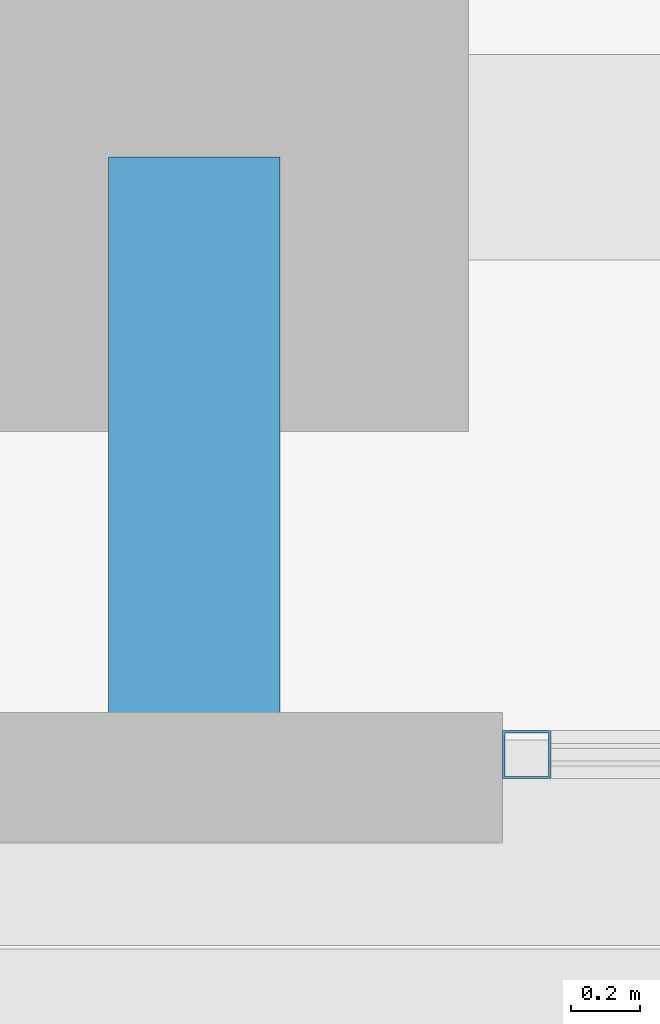
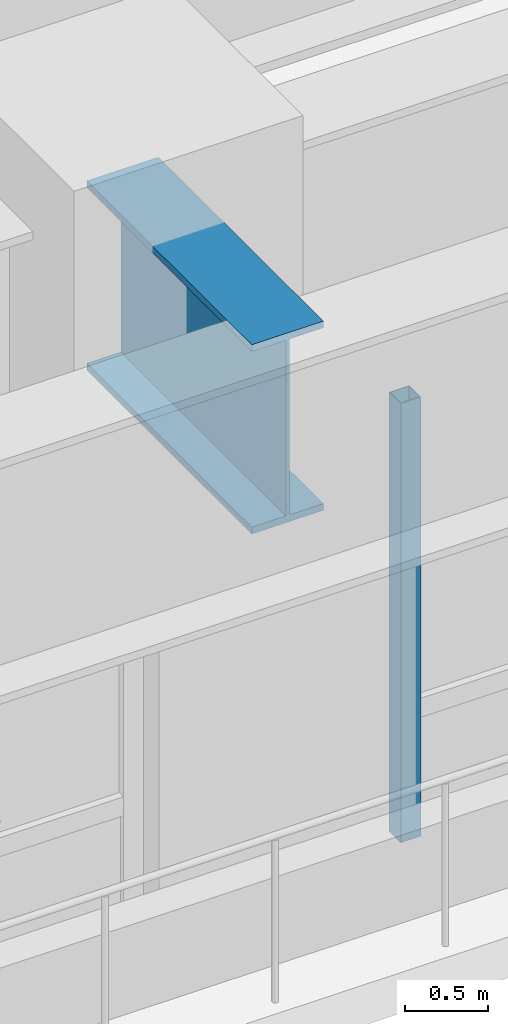
# One storey, part 11 of 35: 1 beam, 1 member, 1 element without a shape of its own.
"""IFC4 building model written with IfcOpenShell, lengths in metres."""

from ifc_helpers import new_model, si_unit, direction, frame, origin, origin_2d, place, context, subcontext, project, spatial, hollow_rectangle, i_section, extrude, source, transform, mapped, material, material_profile, profile_set, type_object, element, aggregate, save


model = new_model("IFC4")

# Units and contexts
model_context = context("Model", 3, precision=1e-05, world=origin(), true_north=direction((0.0, 1.0)))
body_context = subcontext(model_context, "Body", "Model", "MODEL_VIEW")
ifc_project = project(units=[si_unit("LENGTHUNIT", "METRE"), si_unit("AREAUNIT", "SQUARE_METRE"), si_unit("VOLUMEUNIT", "CUBIC_METRE"), si_unit("PLANEANGLEUNIT", "RADIAN"), si_unit("MASSUNIT", "GRAM", prefix="KILO")], contexts=[model_context])

# Site, building, storey
site_placement = place(None, origin())
site = spatial("IfcSite", under=ifc_project, at=site_placement, CompositionType="ELEMENT")
building_placement = place(site_placement, origin())
building = spatial("IfcBuilding", under=site, at=building_placement, Name="Khorayat Bourse Tower", CompositionType="ELEMENT")
storey_placement = place(building_placement, frame((0.0, 0.0, 22.199951171875)))
storey = spatial("IfcBuildingStorey", under=building, at=storey_placement, Name="L04", CompositionType="ELEMENT", Elevation=22.199951171875)

# Beam
ifc_material_1 = material(Name="Steel EN 10025-4 S460M", Category="steel")
ifc_material_profile_1 = material_profile(ifc_material_1, i_section(OverallWidth=0.5, OverallDepth=1.39990234375, WebThickness=0.02490234375, FlangeThickness=0.050048828125, at=origin_2d()), Name="PG 1400x500x25x50")
ifc_profile_set_1 = profile_set([ifc_material_profile_1], Name="Steel EN 10025-4 S460M")
beam_type = type_object("IfcBeamType", Name="BM-TR-1400", PredefinedType="BEAM", material=ifc_profile_set_1)
shared_shape_1 = source(origin(), body_context, "Body", "SweptSolid", [
    extrude(i_section(OverallWidth=0.5, OverallDepth=1.39990234375, WebThickness=0.02490234375, FlangeThickness=0.050048828125, at=origin_2d()), origin(), (0.0, 0.0, 1.0), 2.0),
])
beam_placement = place(storey_placement, frame((0.0, -34.0, 3.5), z_axis=(0.0, 1.0, 0.0), x_axis=(-1.0, 0.0, 0.0)))
element("IfcBeam", 1, at=beam_placement, inside=storey, type_object=beam_type, Name="L04 BM-TR-1400 BM-L04-PGY-129", PredefinedType="BEAM", context=body_context, shape_type="MappedRepresentation", body=[
    mapped(shared_shape_1, transform((0.0, 0.0, 0.0), scale=1.0)),
])

# Curtain wall, member
ifc_material_2 = material(Name="Aluminium EN AW-6063 T6", Category="aluminium")
curtain_wall_type = type_object("IfcCurtainWallType", Name="CW-SYS-01", PredefinedType="NOTDEFINED", material=ifc_material_2)
curtain_wall_placement = place(storey_placement, origin())
curtain_wall = element("IfcCurtainWall", 2, at=curtain_wall_placement, inside=storey, type_object=curtain_wall_type, Name="L04 Curtain Wall CW-L04-SE", PredefinedType="NOTDEFINED")
ifc_material_profile_2 = material_profile(ifc_material_2, hollow_rectangle(XDim=0.139892578125, YDim=0.139892578125, WallThickness=0.006103515625, at=origin_2d()), Name="ALU 140x140x6")
ifc_profile_set_2 = profile_set([ifc_material_profile_2], Name="Aluminium EN AW-6063 T6")
member_type = type_object("IfcMemberType", Name="CWM-VERT-140", PredefinedType="MULLION", material=ifc_profile_set_2)
shared_shape_2 = source(origin(), body_context, "Body", "SweptSolid", [
    extrude(hollow_rectangle(XDim=0.139892578125, YDim=0.139892578125, WallThickness=0.006103515625, at=origin_2d()), origin(), (0.0, 0.0, 1.0), 3.25),
])
member_placement = place(storey_placement, frame((0.969970703125, -33.742919921875, 0.0), z_axis=(0.0, 0.0, 1.0), x_axis=(0.0, 1.0, 0.0)))
member = element("IfcMember", 3, at=member_placement, type_object=member_type, Name="CW-L04-SE Vertical Mullion 1", PredefinedType="MULLION", context=body_context, shape_type="MappedRepresentation", body=[
    mapped(shared_shape_2, transform((0.0, 0.0, 0.0), scale=1.0)),
])
aggregate(curtain_wall, [member])

save(model, "model.ifc")
